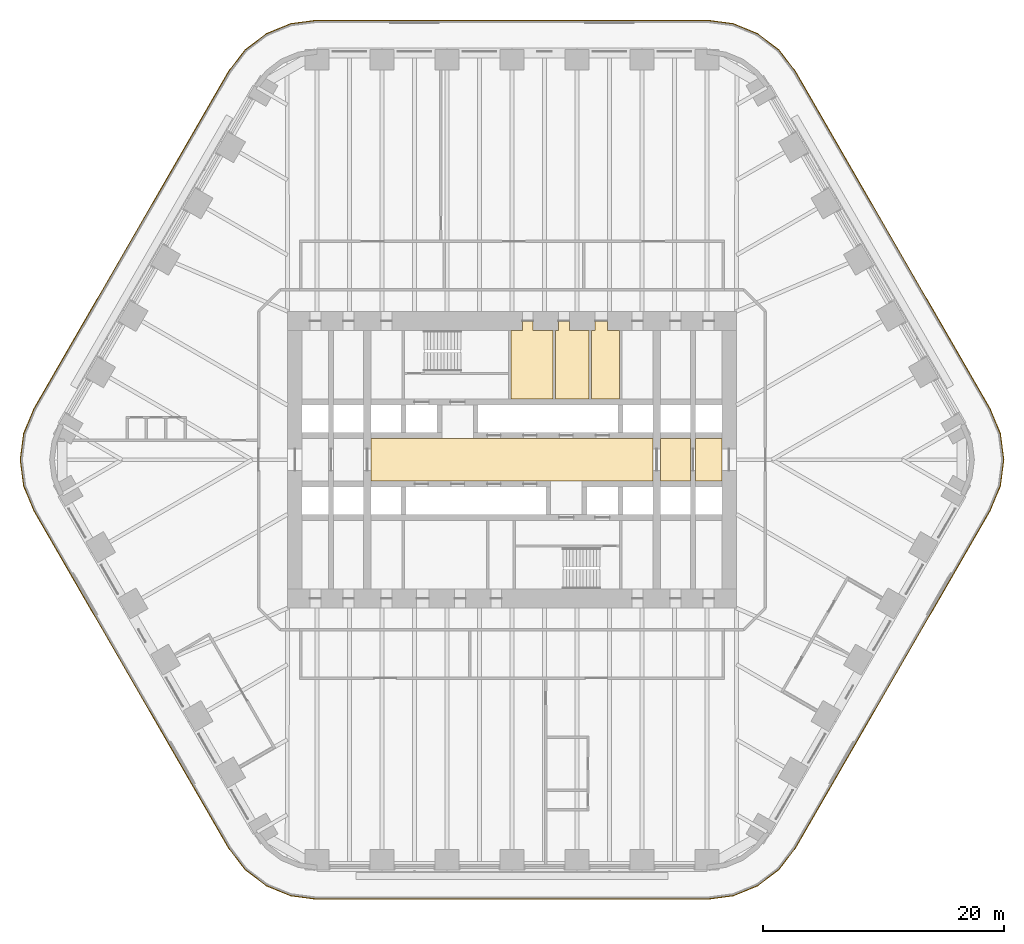
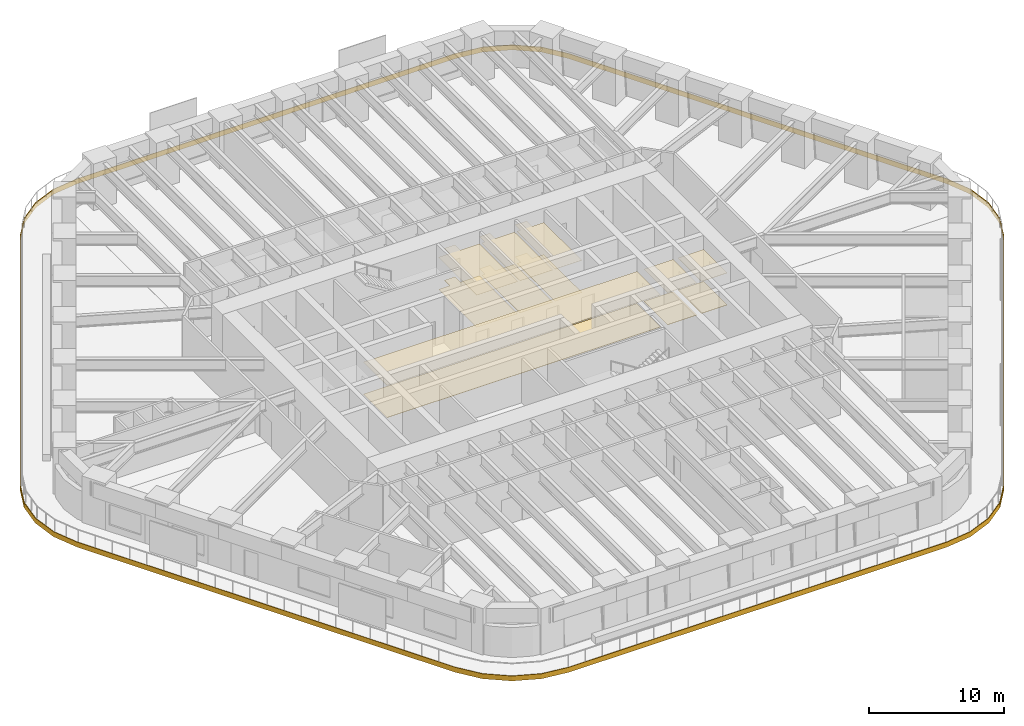
# One storey, part 22 of 23: 13 coverings.
"""IFC4 building model written with IfcOpenShell, lengths in metres."""

import ifcopenshell
import ifcopenshell.guid

model = None  # the IFC model being written
_history = None  # IfcOwnerHistory: only IFC2X3 demands one
_inside = {}  # id of a spatial element -> (the spatial element, [elements in it])
_under = {}  # id of a project, library or spatial element -> (it, [spatial elements below it])
_declared = {}  # id of a project -> (the project, [libraries it declares])
_typed = {}  # id of a type object -> (the type object, [elements of that type])
_made_of = {}  # id of a material, layer set ... -> (it, [elements and type objects made of it])


def new_model(schema):
    """Start an empty IFC model of exactly this schema.

    Asked for "IFC4X3", IfcOpenShell would pick the latest addendum, in which some entities
    have other attributes; the version numbers below select the first issue.
    IFC2X3 requires an IfcOwnerHistory on every rooted entity: one is made here for all.
    """
    global model, _history
    if schema == "IFC4X3":
        model = ifcopenshell.file(schema_version=(4, 3, 0, 0))
    else:
        model = ifcopenshell.file(schema=schema)
    _inside.clear()
    _under.clear()
    _declared.clear()
    _typed.clear()
    _made_of.clear()
    _history = None
    if model.schema == "IFC2X3":
        org = make("IfcOrganization", Name="unknown")
        user = make(
            "IfcPersonAndOrganization",
            ThePerson=make("IfcPerson", FamilyName="unknown"),
            TheOrganization=org,
        )
        app = make(
            "IfcApplication",
            ApplicationDeveloper=org,
            Version="unknown",
            ApplicationFullName="unknown",
            ApplicationIdentifier="unknown",
        )
        _history = make(
            "IfcOwnerHistory",
            OwningUser=user,
            OwningApplication=app,
            ChangeAction="ADDED",
            CreationDate=0,
        )
    return model


def make(cls, **values):
    """One entity of the class cls with the attributes given. An attribute that is None is left unset."""
    return model.create_entity(
        cls, **{name: value for name, value in values.items() if value is not None}
    )


def rooted(cls, **values):
    """An entity with a GlobalId (a new one), such as an element, a storey or a relation."""
    return make(cls, GlobalId=ifcopenshell.guid.new(), OwnerHistory=_history, **values)


def si_unit(unit_type, name, prefix=None):
    """IfcSIUnit, for example si_unit("LENGTHUNIT", "METRE", prefix="MILLI")."""
    return make("IfcSIUnit", UnitType=unit_type, Prefix=prefix, Name=name)


def assignment(units):
    """IfcUnitAssignment: the units of a project."""
    return None if units is None else make("IfcUnitAssignment", Units=units)


def point(xyz):
    """IfcCartesianPoint."""
    return None if xyz is None else make("IfcCartesianPoint", Coordinates=xyz)


def direction(xyz):
    """IfcDirection."""
    return None if xyz is None else make("IfcDirection", DirectionRatios=xyz)


def frame(location, z_axis=None, x_axis=None):
    """IfcAxis2Placement3D, a coordinate frame: its origin and axes. An axis left out is left unset."""
    return make(
        "IfcAxis2Placement3D",
        Location=point(location),
        Axis=direction(z_axis),
        RefDirection=direction(x_axis),
    )


def origin():
    """The frame at (0, 0, 0) with its axes left unset."""
    return frame((0.0, 0.0, 0.0))


def place(relative_to, where):
    """IfcLocalPlacement: puts the frame where relative to a parent placement (None: the world)."""
    return make(
        "IfcLocalPlacement", PlacementRelTo=relative_to, RelativePlacement=where
    )


def context(
    kind, dimensions, precision=None, world=None, true_north=None, identifier=None
):
    """IfcGeometricRepresentationContext, for example the 3D "Model" context."""
    return make(
        "IfcGeometricRepresentationContext",
        ContextIdentifier=identifier,
        ContextType=kind,
        CoordinateSpaceDimension=dimensions,
        Precision=precision,
        WorldCoordinateSystem=world,
        TrueNorth=true_north,
    )


def subcontext(parent, identifier, kind, view, scale=None):
    """IfcGeometricRepresentationSubContext, for example "Body" below "Model"."""
    return make(
        "IfcGeometricRepresentationSubContext",
        ContextIdentifier=identifier,
        ContextType=kind,
        ParentContext=parent,
        TargetScale=scale,
        TargetView=view,
    )


def project(units=None, contexts=None):
    """IfcProject with its units and contexts."""
    return rooted(
        "IfcProject",
        Name="project",
        RepresentationContexts=contexts,
        UnitsInContext=assignment(units),
    )


def spatial(cls, under=None, at=None, **own):
    """A site, building, storey or space (cls), placed at a placement, below another one or the project."""
    s = rooted(cls, ObjectPlacement=at, **own)
    if under is not None:
        _under.setdefault(under.id(), (under, []))[1].append(s)
    return s


def polyline(points):
    """IfcPolyline through the points."""
    return make("IfcPolyline", Points=[point(p) for p in points])


def outline(outer, holes=None, kind="AREA"):
    """IfcArbitraryClosedProfileDef: a profile drawn as a closed curve; with holes, ...WithVoids."""
    if holes is None:
        return make("IfcArbitraryClosedProfileDef", ProfileType=kind, OuterCurve=outer)
    return make(
        "IfcArbitraryProfileDefWithVoids",
        ProfileType=kind,
        OuterCurve=outer,
        InnerCurves=holes,
    )


def extrude(swept, where, along, depth):
    """IfcExtrudedAreaSolid: the profile swept, set in the frame where, extruded along a direction by depth."""
    return make(
        "IfcExtrudedAreaSolid",
        SweptArea=swept,
        Position=where,
        ExtrudedDirection=direction(along),
        Depth=depth,
    )


def shape(context_of_items, identifier, shape_type, items):
    """IfcShapeRepresentation: the items that make up one representation, for example the "Body"."""
    return make(
        "IfcShapeRepresentation",
        ContextOfItems=context_of_items,
        RepresentationIdentifier=identifier,
        RepresentationType=shape_type,
        Items=items,
    )


def material(Name=None, Category=None):
    """IfcMaterial."""
    return make("IfcMaterial", Name=Name, Category=Category)


def layer(
    of_material, thickness, ventilated=None, Name=None, Category=None, Priority=None
):
    """IfcMaterialLayer: one layer of a wall or slab, of a material (None: an air gap)."""
    return make(
        "IfcMaterialLayer",
        Material=of_material,
        LayerThickness=thickness,
        IsVentilated=ventilated,
        Name=Name,
        Category=Category,
        Priority=Priority,
    )


def layer_set(layers, Name=None):
    """IfcMaterialLayerSet."""
    return make("IfcMaterialLayerSet", MaterialLayers=layers, LayerSetName=Name)


def made_of(thing, what):
    """Note that an element or type object is made of a material, layer set ...; save() writes the relation."""
    if what is not None:
        _made_of.setdefault(what.id(), (what, []))[1].append(thing)
    return thing


def type_object(cls, material=None, **own):
    """A type object (cls), such as IfcWallType, which elements share."""
    return made_of(rooted(cls, **own), material)


def element(
    cls,
    number,
    at=None,
    inside=None,
    cuts=None,
    type_object=None,
    material=None,
    context=None,
    identifier="Body",
    shape_type=None,
    held_by="IfcProductDefinitionShape",
    body=None,
    shapes=None,
    **own,
):
    """One element of the class cls, such as IfcWall. Its Tag is "e" and its number.

    at: its placement. inside: the storey or other place that contains it. cuts: it is an
    opening in that element (IfcRelVoidsElement). A single representation is given by context,
    identifier, shape_type and body (its items); several are given by shapes. held_by: the class
    of the entity that holds the representations. save() writes the other relations.
    """
    e = rooted(cls, Tag="e%d" % number, ObjectPlacement=at, **own)
    if body is not None:
        shapes = [shape(context, identifier, shape_type, body)]
    if shapes is not None:
        e.Representation = make(held_by, Representations=shapes)
    if inside is not None:
        _inside.setdefault(inside.id(), (inside, []))[1].append(e)
    if cuts is not None:
        rooted(
            "IfcRelVoidsElement", RelatingBuildingElement=cuts, RelatedOpeningElement=e
        )
    if type_object is not None:
        _typed.setdefault(type_object.id(), (type_object, []))[1].append(e)
    return made_of(e, material)


def aggregate(whole, parts):
    """IfcRelAggregates: a whole, such as a stair, and the parts it consists of."""
    return rooted("IfcRelAggregates", RelatingObject=whole, RelatedObjects=parts)


def save(model, path):
    """Write the relations noted so far, then the file.

    IfcRelAggregates (storeys below a building ...), IfcRelContainedInSpatialStructure (elements
    in a storey), IfcRelDefinesByType, IfcRelAssociatesMaterial and IfcRelDeclares: one each for
    every whole, place, type object, material and project.
    """
    for whole, parts in _under.values():
        aggregate(whole, parts)
    for where, things in _inside.values():
        rooted(
            "IfcRelContainedInSpatialStructure",
            RelatedElements=things,
            RelatingStructure=where,
        )
    for kind, things in _typed.values():
        rooted("IfcRelDefinesByType", RelatedObjects=things, RelatingType=kind)
    for what, things in _made_of.values():
        rooted("IfcRelAssociatesMaterial", RelatedObjects=things, RelatingMaterial=what)
    for by, libraries in _declared.values():
        rooted("IfcRelDeclares", RelatingContext=by, RelatedDefinitions=libraries)
    model.write(path)


model = new_model("IFC4")

# Units and contexts
model_context = context("Model", 3, precision=1e-05, world=origin(), true_north=direction((0.0, 1.0)))
body_context = subcontext(model_context, "Body", "Model", "MODEL_VIEW")
ifc_project = project(units=[si_unit("LENGTHUNIT", "METRE"), si_unit("AREAUNIT", "SQUARE_METRE"), si_unit("VOLUMEUNIT", "CUBIC_METRE"), si_unit("PLANEANGLEUNIT", "RADIAN"), si_unit("MASSUNIT", "GRAM", prefix="KILO")], contexts=[model_context])

# Site, building, storey
site_placement = place(None, origin())
site = spatial("IfcSite", under=ifc_project, at=site_placement, CompositionType="ELEMENT")
building_placement = place(site_placement, origin())
building = spatial("IfcBuilding", under=site, at=building_placement, Name="Tarfa Lantern Tower", CompositionType="ELEMENT")
storey_placement = place(building_placement, frame((0.0, 0.0, 78.10009765625)))
storey = spatial("IfcBuildingStorey", under=building, at=storey_placement, Name="L17", CompositionType="ELEMENT", Elevation=78.10009765625)

# Coverings
ifc_material_1 = material(Name="Moisture-resistant plasterboard", Category="finish")
ifc_layer_1 = layer(ifc_material_1, 0.014892578125)
ifc_layer_set_1 = layer_set([ifc_layer_1], Name="CL2 MOISTURE-RESISTANT PLASTERBOARD CEILING 15")
covering_type_1 = type_object("IfcCoveringType", Name="CL2 MOISTURE-RESISTANT PLASTERBOARD CEILING 15", PredefinedType="CEILING", material=ifc_layer_set_1)
covering_1_placement = place(storey_placement, frame((0.0, 0.0, 2.89990234375)))
element("IfcCovering", 1, at=covering_1_placement, inside=storey, type_object=covering_type_1, Name="Ceiling L17-09", PredefinedType="CEILING", context=body_context, shape_type="SweptSolid", body=[
    extrude(outline(polyline([(0.85009765625, 10.699951171875), (-0.10009765625, 10.699951171875), (-0.10009765625, 5.050048828125), (3.39990234375, 5.050048828125), (3.39990234375, 10.699951171875), (1.75, 10.699951171875), (1.75, 11.5), (0.85009765625, 11.5), (0.85009765625, 11.5), (0.85009765625, 10.699951171875)])), origin(), (0.0, 0.0, 1.0), 0.014892578125),
])
covering_2_placement = place(storey_placement, frame((0.0, 0.0, 2.89990234375)))
element("IfcCovering", 2, at=covering_2_placement, inside=storey, type_object=covering_type_1, Name="Ceiling L17-10", PredefinedType="CEILING", context=body_context, shape_type="SweptSolid", body=[
    extrude(outline(polyline([(3.60009765625, 5.050048828125), (6.39990234375, 5.050048828125), (6.39990234375, 10.699951171875), (4.75, 10.699951171875), (4.75, 11.5), (3.85009765625, 11.5), (3.85009765625, 10.699951171875), (3.60009765625, 10.699951171875), (3.60009765625, 5.050048828125)])), origin(), (0.0, 0.0, 1.0), 0.014892578125),
])
covering_3_placement = place(storey_placement, frame((0.0, 0.0, 2.89990234375)))
element("IfcCovering", 3, at=covering_3_placement, inside=storey, type_object=covering_type_1, Name="Ceiling L17-11", PredefinedType="CEILING", context=body_context, shape_type="SweptSolid", body=[
    extrude(outline(polyline([(6.60009765625, 5.050048828125), (8.89990234375, 5.050048828125), (8.89990234375, 10.699951171875), (7.89990234375, 10.699951171875), (7.89990234375, 11.5), (6.89990234375, 11.5), (6.89990234375, 10.699951171875), (6.60009765625, 10.699951171875), (6.60009765625, 5.050048828125)])), origin(), (0.0, 0.0, 1.0), 0.014892578125),
])
ifc_material_2 = material(Name="Powder-coated aluminium panel", Category="aluminium")
ifc_layer_2 = layer(ifc_material_2, 0.030029296875)
ifc_layer_set_2 = layer_set([ifc_layer_2], Name="CL3 METAL PANEL CEILING 30")
covering_type_2 = type_object("IfcCoveringType", Name="CL3 METAL PANEL CEILING 30", PredefinedType="CEILING", material=ifc_layer_set_2)
covering_4_placement = place(storey_placement, frame((0.0, 0.0, 2.89990234375)))
element("IfcCovering", 4, at=covering_4_placement, inside=storey, type_object=covering_type_2, Name="Ceiling L17-03", PredefinedType="CEILING", context=body_context, shape_type="SweptSolid", body=[
    extrude(outline(polyline([(-11.699951171875, -1.75), (11.699951171875, -1.75), (11.699951171875, 1.75), (-11.699951171875, 1.75), (-11.699951171875, -1.75)])), origin(), (0.0, 0.0, 1.0), 0.030029296875),
])
covering_5_placement = place(storey_placement, frame((0.0, 0.0, 2.89990234375)))
element("IfcCovering", 5, at=covering_5_placement, inside=storey, type_object=covering_type_2, Name="Ceiling L17-04", PredefinedType="CEILING", context=body_context, shape_type="SweptSolid", body=[
    extrude(outline(polyline([(12.300048828125, -1.75), (14.800048828125, -1.75), (14.800048828125, 1.75), (12.300048828125, 1.75), (12.300048828125, -1.75)])), origin(), (0.0, 0.0, 1.0), 0.030029296875),
])
covering_6_placement = place(storey_placement, frame((0.0, 0.0, 2.89990234375)))
element("IfcCovering", 6, at=covering_6_placement, inside=storey, type_object=covering_type_2, Name="Ceiling L17-05", PredefinedType="CEILING", context=body_context, shape_type="SweptSolid", body=[
    extrude(outline(polyline([(15.199951171875, -1.75), (17.39990234375, -1.75), (17.39990234375, 1.75), (15.199951171875, 1.75), (15.199951171875, -1.75)])), origin(), (0.0, 0.0, 1.0), 0.030029296875),
])
ifc_material_3 = material(Name="Honed limestone flooring", Category="masonry")
ifc_layer_3 = layer(ifc_material_3, 0.030029296875)
ifc_layer_set_3 = layer_set([ifc_layer_3], Name="FL2 STONE FLOORING 30")
covering_type_3 = type_object("IfcCoveringType", Name="FL2 STONE FLOORING 30", PredefinedType="FLOORING", material=ifc_layer_set_3)
covering_7_placement = place(storey_placement, origin())
element("IfcCovering", 7, at=covering_7_placement, inside=storey, type_object=covering_type_3, Name="Floor finish L17-03", PredefinedType="FLOORING", context=body_context, shape_type="SweptSolid", body=[
    extrude(outline(polyline([(-11.699951171875, -1.75), (11.699951171875, -1.75), (11.699951171875, 1.75), (-11.699951171875, 1.75), (-11.699951171875, -1.75)])), origin(), (0.0, 0.0, 1.0), 0.02978515625),
])
covering_8_placement = place(storey_placement, origin())
element("IfcCovering", 8, at=covering_8_placement, inside=storey, type_object=covering_type_3, Name="Floor finish L17-04", PredefinedType="FLOORING", context=body_context, shape_type="SweptSolid", body=[
    extrude(outline(polyline([(12.300048828125, -1.75), (14.800048828125, -1.75), (14.800048828125, 1.75), (12.300048828125, 1.75), (12.300048828125, -1.75)])), origin(), (0.0, 0.0, 1.0), 0.02978515625),
])
covering_9_placement = place(storey_placement, origin())
element("IfcCovering", 9, at=covering_9_placement, inside=storey, type_object=covering_type_3, Name="Floor finish L17-05", PredefinedType="FLOORING", context=body_context, shape_type="SweptSolid", body=[
    extrude(outline(polyline([(15.199951171875, -1.75), (17.39990234375, -1.75), (17.39990234375, 1.75), (15.199951171875, 1.75), (15.199951171875, -1.75)])), origin(), (0.0, 0.0, 1.0), 0.02978515625),
])
ifc_material_4 = material(Name="Porcelain floor tile", Category="finish")
ifc_layer_4 = layer(ifc_material_4, 0.011962890625)
ifc_layer_set_4 = layer_set([ifc_layer_4], Name="FL3 CERAMIC TILE 12")
covering_type_4 = type_object("IfcCoveringType", Name="FL3 CERAMIC TILE 12", PredefinedType="FLOORING", material=ifc_layer_set_4)
covering_10_placement = place(storey_placement, origin())
element("IfcCovering", 10, at=covering_10_placement, inside=storey, type_object=covering_type_4, Name="Floor finish L17-09", PredefinedType="FLOORING", context=body_context, shape_type="SweptSolid", body=[
    extrude(outline(polyline([(0.85009765625, 10.699951171875), (-0.10009765625, 10.699951171875), (-0.10009765625, 5.050048828125), (3.39990234375, 5.050048828125), (3.39990234375, 10.699951171875), (1.75, 10.699951171875), (1.75, 11.5), (0.85009765625, 11.5), (0.85009765625, 11.5), (0.85009765625, 10.699951171875)])), origin(), (0.0, 0.0, 1.0), 0.011962890625),
])
covering_11_placement = place(storey_placement, origin())
element("IfcCovering", 11, at=covering_11_placement, inside=storey, type_object=covering_type_4, Name="Floor finish L17-10", PredefinedType="FLOORING", context=body_context, shape_type="SweptSolid", body=[
    extrude(outline(polyline([(3.60009765625, 5.050048828125), (6.39990234375, 5.050048828125), (6.39990234375, 10.699951171875), (4.75, 10.699951171875), (4.75, 11.5), (3.85009765625, 11.5), (3.85009765625, 10.699951171875), (3.60009765625, 10.699951171875), (3.60009765625, 5.050048828125)])), origin(), (0.0, 0.0, 1.0), 0.011962890625),
])
covering_12_placement = place(storey_placement, origin())
element("IfcCovering", 12, at=covering_12_placement, inside=storey, type_object=covering_type_4, Name="Floor finish L17-11", PredefinedType="FLOORING", context=body_context, shape_type="SweptSolid", body=[
    extrude(outline(polyline([(6.60009765625, 5.050048828125), (8.89990234375, 5.050048828125), (8.89990234375, 10.699951171875), (7.89990234375, 10.699951171875), (7.89990234375, 11.5), (6.89990234375, 11.5), (6.89990234375, 10.699951171875), (6.60009765625, 10.699951171875), (6.60009765625, 5.050048828125)])), origin(), (0.0, 0.0, 1.0), 0.011962890625),
])
ifc_material_5 = material(Name="Limestone cladding on brackets", Category="masonry")
ifc_layer_5 = layer(ifc_material_5, 0.050048828125)
ifc_layer_set_5 = layer_set([ifc_layer_5], Name="SB1 STONE BAND CLADDING 50")
covering_type_5 = type_object("IfcCoveringType", Name="SB1 STONE BAND CLADDING 50", PredefinedType="CLADDING", material=ifc_layer_set_5)
covering_13_placement = place(storey_placement, frame((0.0, 0.0, -0.400146484375)))
element("IfcCovering", 13, at=covering_13_placement, inside=storey, type_object=covering_type_5, Name="Stone band", PredefinedType="CLADDING", context=body_context, shape_type="SweptSolid", body=[
    extrude(outline(polyline([(39.6494140625, 4.22509765625), (23.483642578125, 32.22509765625), (22.140869140625, 33.97509765625), (20.390869140625, 35.31787109375), (18.352783203125, 36.162109375), (16.165771484375, 36.449951171875), (-16.165771484375, 36.449951171875), (-18.352783203125, 36.162109375), (-20.390869140625, 35.31787109375), (-22.140869140625, 33.97509765625), (-23.483642578125, 32.22509765625), (-39.6494140625, 4.22509765625), (-40.49365234375, 2.18701171875), (-40.781494140625, 0.0), (-40.49365234375, -2.18701171875), (-39.6494140625, -4.22509765625), (-23.483642578125, -32.22509765625), (-22.140869140625, -33.97509765625), (-20.390869140625, -35.31787109375), (-18.352783203125, -36.162109375), (-16.165771484375, -36.449951171875), (16.165771484375, -36.449951171875), (18.352783203125, -36.162109375), (20.390869140625, -35.31787109375), (22.140869140625, -33.97509765625), (23.483642578125, -32.22509765625), (39.6494140625, -4.22509765625), (40.49365234375, -2.18701171875), (40.781494140625, 0.0), (40.49365234375, 2.18701171875), (39.6494140625, 4.22509765625)]), holes=[polyline([(39.606201171875, 4.199951171875), (23.4404296875, 32.199951171875), (22.10546875, 33.939697265625), (20.36572265625, 35.274658203125), (18.33984375, 36.11376953125), (16.165771484375, 36.39990234375), (-16.165771484375, 36.39990234375), (-18.33984375, 36.11376953125), (-20.36572265625, 35.274658203125), (-22.10546875, 33.939697265625), (-23.4404296875, 32.199951171875), (-39.606201171875, 4.199951171875), (-40.4453125, 2.174072265625), (-40.731689453125, 0.0), (-40.4453125, -2.174072265625), (-39.606201171875, -4.199951171875), (-23.4404296875, -32.199951171875), (-22.10546875, -33.939697265625), (-20.36572265625, -35.274658203125), (-18.33984375, -36.11376953125), (-16.165771484375, -36.39990234375), (16.165771484375, -36.39990234375), (18.33984375, -36.11376953125), (20.36572265625, -35.274658203125), (22.10546875, -33.939697265625), (23.4404296875, -32.199951171875), (39.606201171875, -4.199951171875), (40.4453125, -2.174072265625), (40.731689453125, 0.0), (40.4453125, 2.174072265625), (39.606201171875, 4.199951171875)])]), origin(), (0.0, 0.0, 1.0), 0.449951171875),
])

save(model, "model.ifc")
